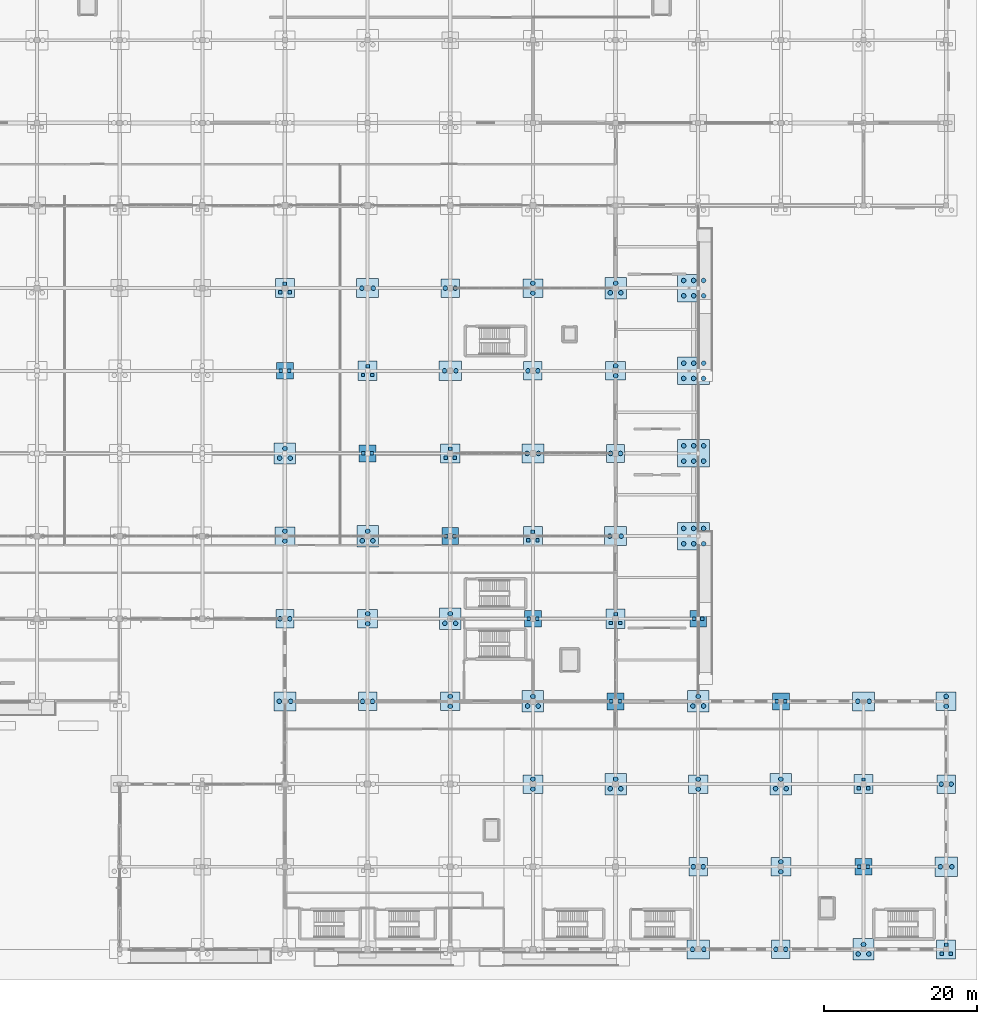
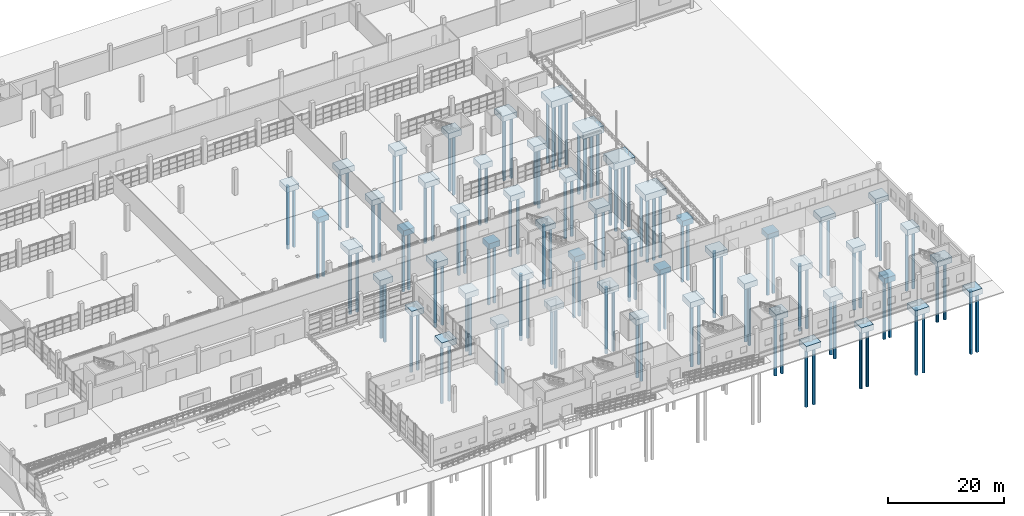
# One storey, part 4 of 138: 138 piles, 53 footings.
"""IFC4 building model written with IfcOpenShell, lengths in metres."""

from ifc_helpers import new_model, si_unit, direction, frame, origin, origin_2d, place, context, subcontext, project, spatial, rectangle, circle, extrude, material, material_profile, profile_set, type_object, element, save


model = new_model("IFC4")

# Units and contexts
model_context = context("Model", 3, precision=1e-05, world=origin(), true_north=direction((0.0, 1.0)))
body_context = subcontext(model_context, "Body", "Model", "MODEL_VIEW")
ifc_project = project(units=[si_unit("LENGTHUNIT", "METRE"), si_unit("AREAUNIT", "SQUARE_METRE"), si_unit("VOLUMEUNIT", "CUBIC_METRE"), si_unit("PLANEANGLEUNIT", "RADIAN"), si_unit("MASSUNIT", "GRAM", prefix="KILO")], contexts=[model_context])

# Site, building, storey
site_placement = place(None, origin())
site = spatial("IfcSite", under=ifc_project, at=site_placement, CompositionType="ELEMENT")
building_placement = place(site_placement, origin())
building = spatial("IfcBuilding", under=site, at=building_placement, Name="Zwinboog Wholesale Market", CompositionType="ELEMENT")
storey_placement = place(building_placement, origin())
storey = spatial("IfcBuildingStorey", under=building, at=storey_placement, Name="L00", CompositionType="ELEMENT", Elevation=0.0)

# Piles
ifc_material_1 = material(Name="Concrete C40/50", Category="concrete")
ifc_material_profile_1 = material_profile(ifc_material_1, circle(Radius=0.300048828125, at=origin_2d()), Name="PILE D600")
ifc_profile_set_1 = profile_set([ifc_material_profile_1], Name="Concrete C40/50")
pile_type_1 = type_object("IfcPileType", Name="PT-BORED-600", PredefinedType="BORED", material=ifc_profile_set_1)
for number, where, z_axis, x_axis, name in (
    (1, (128.85009765625, 32.39990234375, -2.300048828125), (0.0, 0.0, -1.0), (1.0, 0.0, 0.0), "P-01 (PIL-0366)"),
    (2, (130.35009765625, 32.39990234375, -2.300048828125), (0.0, 0.0, -1.0), (1.0, 0.0, 0.0), "P-01 (PIL-0367)"),
    (3, (128.949951171875, 43.199951171875, -2.300048828125), (0.0, 0.0, -1.0), (1.0, 0.0, 0.0), "P-01 (PIL-0368)"),
    (4, (130.25, 43.199951171875, -2.300048828125), (0.0, 0.0, -1.0), (1.0, 0.0, 0.0), "P-01 (PIL-0369)"),
    (5, (129.60009765625, 53.35009765625, -2.300048828125), (0.0, 0.0, -1.0), (1.0, 0.0, 0.0), "P-01 (PIL-0370)"),
    (6, (129.60009765625, 54.64990234375, -2.300048828125), (0.0, 0.0, -1.0), (1.0, 0.0, 0.0), "P-01 (PIL-0371)"),
):
    element("IfcPile", number, at=place(storey_placement, frame(where, z_axis=z_axis, x_axis=x_axis)), inside=storey, type_object=pile_type_1, Name=name, PredefinedType="BORED", context=body_context, shape_type="SweptSolid", body=[
        extrude(circle(Radius=0.300048828125, at=origin_2d()), origin(), (0.0, 0.0, 1.0), 12.5),
    ])
for number, where, z_axis, x_axis, name in (
    (7, (128.89990234375, 64.199951171875, -2.300048828125), (0.0, 0.0, -1.0), (1.0, 0.0, 0.0), "P-01 (PIL-0372)"),
    (8, (130.300048828125, 64.199951171875, -2.300048828125), (0.0, 0.0, -1.0), (1.0, 0.0, 0.0), "P-01 (PIL-0373)"),
    (9, (129.60009765625, 65.449951171875, -2.300048828125), (0.0, 0.0, -1.0), (1.0, 0.0, 0.0), "P-01 (PIL-0374)"),
):
    element("IfcPile", number, at=place(storey_placement, frame(where, z_axis=z_axis, x_axis=x_axis)), inside=storey, type_object=pile_type_1, Name=name, PredefinedType="BORED", context=body_context, shape_type="SweptSolid", body=[
        extrude(circle(Radius=0.300048828125, at=origin_2d()), origin(), (0.0, 0.0, 1.0), 13.0),
    ])
for number, where, z_axis, x_axis, name in (
    (10, (139.75, 32.39990234375, -2.300048828125), (0.0, 0.0, -1.0), (1.0, 0.0, 0.0), "P-01 (PIL-0396)"),
    (11, (141.050048828125, 32.39990234375, -2.300048828125), (0.0, 0.0, -1.0), (1.0, 0.0, 0.0), "P-01 (PIL-0397)"),
    (12, (140.39990234375, 42.550048828125, -2.300048828125), (0.0, 0.0, -1.0), (1.0, 0.0, 0.0), "P-01 (PIL-0398)"),
    (13, (140.39990234375, 43.85009765625, -2.300048828125), (0.0, 0.0, -1.0), (1.0, 0.0, 0.0), "P-01 (PIL-0399)"),
):
    element("IfcPile", number, at=place(storey_placement, frame(where, z_axis=z_axis, x_axis=x_axis)), inside=storey, type_object=pile_type_1, Name=name, PredefinedType="BORED", context=body_context, shape_type="SweptSolid", body=[
        extrude(circle(Radius=0.300048828125, at=origin_2d()), origin(), (0.0, 0.0, 1.0), 12.5),
    ])
for number, where, z_axis, x_axis, name in (
    (14, (139.699951171875, 53.39990234375, -2.300048828125), (0.0, 0.0, -1.0), (1.0, 0.0, 0.0), "P-01 (PIL-0400)"),
    (15, (141.10009765625, 53.39990234375, -2.300048828125), (0.0, 0.0, -1.0), (1.0, 0.0, 0.0), "P-01 (PIL-0401)"),
    (16, (140.39990234375, 54.64990234375, -2.300048828125), (0.0, 0.0, -1.0), (1.0, 0.0, 0.0), "P-01 (PIL-0402)"),
):
    element("IfcPile", number, at=place(storey_placement, frame(where, z_axis=z_axis, x_axis=x_axis)), inside=storey, type_object=pile_type_1, Name=name, PredefinedType="BORED", context=body_context, shape_type="SweptSolid", body=[
        extrude(circle(Radius=0.300048828125, at=origin_2d()), origin(), (0.0, 0.0, 1.0), 13.0),
    ])
for number, where, z_axis, x_axis, name in (
    (17, (139.64990234375, 86.39990234375, -2.300048828125), (0.0, 0.0, -1.0), (1.0, 0.0, 0.0), "P-01 (PIL-0408)"),
    (18, (141.14990234375, 86.39990234375, -2.300048828125), (0.0, 0.0, -1.0), (1.0, 0.0, 0.0), "P-01 (PIL-0409)"),
    (19, (151.199951171875, 31.75, -2.300048828125), (0.0, 0.0, -1.0), (1.0, 0.0, 0.0), "P-01 (PIL-0426)"),
    (20, (151.199951171875, 33.050048828125, -2.300048828125), (0.0, 0.0, -1.0), (1.0, 0.0, 0.0), "P-01 (PIL-0427)"),
):
    element("IfcPile", number, at=place(storey_placement, frame(where, z_axis=z_axis, x_axis=x_axis)), inside=storey, type_object=pile_type_1, Name=name, PredefinedType="BORED", context=body_context, shape_type="SweptSolid", body=[
        extrude(circle(Radius=0.300048828125, at=origin_2d()), origin(), (0.0, 0.0, 1.0), 12.5),
    ])
for number, where, z_axis, x_axis, name in (
    (21, (150.5, 42.60009765625, -2.300048828125), (0.0, 0.0, -1.0), (1.0, 0.0, 0.0), "P-01 (PIL-0428)"),
    (22, (151.89990234375, 42.60009765625, -2.300048828125), (0.0, 0.0, -1.0), (1.0, 0.0, 0.0), "P-01 (PIL-0429)"),
    (23, (151.199951171875, 43.85009765625, -2.300048828125), (0.0, 0.0, -1.0), (1.0, 0.0, 0.0), "P-01 (PIL-0430)"),
):
    element("IfcPile", number, at=place(storey_placement, frame(where, z_axis=z_axis, x_axis=x_axis)), inside=storey, type_object=pile_type_1, Name=name, PredefinedType="BORED", context=body_context, shape_type="SweptSolid", body=[
        extrude(circle(Radius=0.300048828125, at=origin_2d()), origin(), (0.0, 0.0, 1.0), 13.0),
    ])
for number, where, z_axis, x_axis, name in (
    (24, (150.449951171875, 75.60009765625, -2.300048828125), (0.0, 0.0, -1.0), (1.0, 0.0, 0.0), "P-01 (PIL-0436)"),
    (25, (151.949951171875, 75.60009765625, -2.300048828125), (0.0, 0.0, -1.0), (1.0, 0.0, 0.0), "P-01 (PIL-0437)"),
    (26, (150.550048828125, 86.39990234375, -2.300048828125), (0.0, 0.0, -1.0), (1.0, 0.0, 0.0), "P-01 (PIL-0438)"),
    (27, (151.85009765625, 86.39990234375, -2.300048828125), (0.0, 0.0, -1.0), (1.0, 0.0, 0.0), "P-01 (PIL-0439)"),
    (28, (162.0, 20.949951171875, -2.300048828125), (0.0, 0.0, -1.0), (1.0, 0.0, 0.0), "P-01 (PIL-0454)"),
    (29, (162.0, 22.25, -2.300048828125), (0.0, 0.0, -1.0), (1.0, 0.0, 0.0), "P-01 (PIL-0455)"),
):
    element("IfcPile", number, at=place(storey_placement, frame(where, z_axis=z_axis, x_axis=x_axis)), inside=storey, type_object=pile_type_1, Name=name, PredefinedType="BORED", context=body_context, shape_type="SweptSolid", body=[
        extrude(circle(Radius=0.300048828125, at=origin_2d()), origin(), (0.0, 0.0, 1.0), 12.5),
    ])
for number, where, z_axis, x_axis, name in (
    (30, (161.300048828125, 31.800048828125, -2.300048828125), (0.0, 0.0, -1.0), (1.0, 0.0, 0.0), "P-01 (PIL-0456)"),
    (31, (162.699951171875, 31.800048828125, -2.300048828125), (0.0, 0.0, -1.0), (1.0, 0.0, 0.0), "P-01 (PIL-0457)"),
    (32, (162.0, 33.050048828125, -2.300048828125), (0.0, 0.0, -1.0), (1.0, 0.0, 0.0), "P-01 (PIL-0458)"),
):
    element("IfcPile", number, at=place(storey_placement, frame(where, z_axis=z_axis, x_axis=x_axis)), inside=storey, type_object=pile_type_1, Name=name, PredefinedType="BORED", context=body_context, shape_type="SweptSolid", body=[
        extrude(circle(Radius=0.300048828125, at=origin_2d()), origin(), (0.0, 0.0, 1.0), 13.0),
    ])
for number, where, z_axis, x_axis, name in (
    (33, (161.25, 64.800048828125, -2.300048828125), (0.0, 0.0, -1.0), (1.0, 0.0, 0.0), "P-01 (PIL-0464)"),
    (34, (162.75, 64.800048828125, -2.300048828125), (0.0, 0.0, -1.0), (1.0, 0.0, 0.0), "P-01 (PIL-0465)"),
    (35, (161.35009765625, 75.60009765625, -2.300048828125), (0.0, 0.0, -1.0), (1.0, 0.0, 0.0), "P-01 (PIL-0466)"),
    (36, (162.64990234375, 75.60009765625, -2.300048828125), (0.0, 0.0, -1.0), (1.0, 0.0, 0.0), "P-01 (PIL-0467)"),
    (37, (162.0, 85.75, -2.300048828125), (0.0, 0.0, -1.0), (1.0, 0.0, 0.0), "P-01 (PIL-0468)"),
    (38, (162.0, 87.050048828125, -2.300048828125), (0.0, 0.0, -1.0), (1.0, 0.0, 0.0), "P-01 (PIL-0469)"),
):
    element("IfcPile", number, at=place(storey_placement, frame(where, z_axis=z_axis, x_axis=x_axis)), inside=storey, type_object=pile_type_1, Name=name, PredefinedType="BORED", context=body_context, shape_type="SweptSolid", body=[
        extrude(circle(Radius=0.300048828125, at=origin_2d()), origin(), (0.0, 0.0, 1.0), 12.5),
    ])
for number, where, z_axis, x_axis, name in (
    (39, (172.10009765625, 21.0, -2.300048828125), (0.0, 0.0, -1.0), (1.0, 0.0, 0.0), "P-01 (PIL-0484)"),
    (40, (173.5, 21.0, -2.300048828125), (0.0, 0.0, -1.0), (1.0, 0.0, 0.0), "P-01 (PIL-0485)"),
    (41, (172.800048828125, 22.25, -2.300048828125), (0.0, 0.0, -1.0), (1.0, 0.0, 0.0), "P-01 (PIL-0486)"),
):
    element("IfcPile", number, at=place(storey_placement, frame(where, z_axis=z_axis, x_axis=x_axis)), inside=storey, type_object=pile_type_1, Name=name, PredefinedType="BORED", context=body_context, shape_type="SweptSolid", body=[
        extrude(circle(Radius=0.300048828125, at=origin_2d()), origin(), (0.0, 0.0, 1.0), 13.0),
    ])
for number, where, z_axis, x_axis, name in (
    (42, (172.050048828125, 54.0, -2.300048828125), (0.0, 0.0, -1.0), (1.0, 0.0, 0.0), "P-01 (PIL-0492)"),
    (43, (173.550048828125, 54.0, -2.300048828125), (0.0, 0.0, -1.0), (1.0, 0.0, 0.0), "P-01 (PIL-0493)"),
    (44, (172.14990234375, 64.800048828125, -2.300048828125), (0.0, 0.0, -1.0), (1.0, 0.0, 0.0), "P-01 (PIL-0494)"),
    (45, (173.449951171875, 64.800048828125, -2.300048828125), (0.0, 0.0, -1.0), (1.0, 0.0, 0.0), "P-01 (PIL-0495)"),
    (46, (172.800048828125, 74.949951171875, -2.300048828125), (0.0, 0.0, -1.0), (1.0, 0.0, 0.0), "P-01 (PIL-0496)"),
    (47, (172.800048828125, 76.25, -2.300048828125), (0.0, 0.0, -1.0), (1.0, 0.0, 0.0), "P-01 (PIL-0497)"),
):
    element("IfcPile", number, at=place(storey_placement, frame(where, z_axis=z_axis, x_axis=x_axis)), inside=storey, type_object=pile_type_1, Name=name, PredefinedType="BORED", context=body_context, shape_type="SweptSolid", body=[
        extrude(circle(Radius=0.300048828125, at=origin_2d()), origin(), (0.0, 0.0, 1.0), 12.5),
    ])
for number, where, z_axis, x_axis, name in (
    (48, (172.10009765625, 85.800048828125, -2.300048828125), (0.0, 0.0, -1.0), (1.0, 0.0, 0.0), "P-01 (PIL-0498)"),
    (49, (173.5, 85.800048828125, -2.300048828125), (0.0, 0.0, -1.0), (1.0, 0.0, 0.0), "P-01 (PIL-0499)"),
    (50, (172.800048828125, 87.050048828125, -2.300048828125), (0.0, 0.0, -1.0), (1.0, 0.0, 0.0), "P-01 (PIL-0500)"),
):
    element("IfcPile", number, at=place(storey_placement, frame(where, z_axis=z_axis, x_axis=x_axis)), inside=storey, type_object=pile_type_1, Name=name, PredefinedType="BORED", context=body_context, shape_type="SweptSolid", body=[
        extrude(circle(Radius=0.300048828125, at=origin_2d()), origin(), (0.0, 0.0, 1.0), 13.0),
    ])
for number, where, z_axis, x_axis, name in (
    (51, (181.699951171875, 53.0, -2.5), (0.0, 0.0, -1.0), (1.0, 0.0, 0.0), "P-01 (PIL-0510)"),
    (52, (183.0, 53.0, -2.5), (0.0, 0.0, -1.0), (1.0, 0.0, 0.0), "P-01 (PIL-0511)"),
    (53, (184.300048828125, 53.0, -2.5), (0.0, 0.0, -1.0), (1.0, 0.0, 0.0), "P-01 (PIL-0512)"),
    (54, (181.699951171875, 55.0, -2.5), (0.0, 0.0, -1.0), (1.0, 0.0, 0.0), "P-01 (PIL-0513)"),
    (55, (183.0, 55.0, -2.5), (0.0, 0.0, -1.0), (1.0, 0.0, 0.0), "P-01 (PIL-0514)"),
    (56, (184.300048828125, 55.0, -2.5), (0.0, 0.0, -1.0), (1.0, 0.0, 0.0), "P-01 (PIL-0515)"),
    (57, (181.699951171875, 63.800048828125, -2.5), (0.0, 0.0, -1.0), (1.0, 0.0, 0.0), "P-01 (PIL-0516)"),
    (58, (183.0, 63.800048828125, -2.5), (0.0, 0.0, -1.0), (1.0, 0.0, 0.0), "P-01 (PIL-0517)"),
    (59, (184.300048828125, 63.800048828125, -2.5), (0.0, 0.0, -1.0), (1.0, 0.0, 0.0), "P-01 (PIL-0518)"),
    (60, (181.699951171875, 65.800048828125, -2.5), (0.0, 0.0, -1.0), (1.0, 0.0, 0.0), "P-01 (PIL-0519)"),
    (61, (183.0, 65.800048828125, -2.5), (0.0, 0.0, -1.0), (1.0, 0.0, 0.0), "P-01 (PIL-0520)"),
    (62, (184.300048828125, 65.800048828125, -2.5), (0.0, 0.0, -1.0), (1.0, 0.0, 0.0), "P-01 (PIL-0521)"),
    (63, (181.699951171875, 74.60009765625, -2.5), (0.0, 0.0, -1.0), (1.0, 0.0, 0.0), "P-01 (PIL-0522)"),
    (64, (183.0, 74.60009765625, -2.5), (0.0, 0.0, -1.0), (1.0, 0.0, 0.0), "P-01 (PIL-0523)"),
    (65, (184.300048828125, 74.60009765625, -2.5), (0.0, 0.0, -1.0), (1.0, 0.0, 0.0), "P-01 (PIL-0524)"),
    (66, (181.699951171875, 76.60009765625, -2.5), (0.0, 0.0, -1.0), (1.0, 0.0, 0.0), "P-01 (PIL-0525)"),
    (67, (183.0, 76.60009765625, -2.5), (0.0, 0.0, -1.0), (1.0, 0.0, 0.0), "P-01 (PIL-0526)"),
    (68, (184.300048828125, 76.60009765625, -2.5), (0.0, 0.0, -1.0), (1.0, 0.0, 0.0), "P-01 (PIL-0527)"),
    (69, (181.699951171875, 85.39990234375, -2.5), (0.0, 0.0, -1.0), (1.0, 0.0, 0.0), "P-01 (PIL-0528)"),
    (70, (183.0, 85.39990234375, -2.5), (0.0, 0.0, -1.0), (1.0, 0.0, 0.0), "P-01 (PIL-0529)"),
    (71, (184.300048828125, 85.39990234375, -2.5), (0.0, 0.0, -1.0), (1.0, 0.0, 0.0), "P-01 (PIL-0530)"),
    (72, (181.699951171875, 87.39990234375, -2.5), (0.0, 0.0, -1.0), (1.0, 0.0, 0.0), "P-01 (PIL-0531)"),
    (73, (183.0, 87.39990234375, -2.5), (0.0, 0.0, -1.0), (1.0, 0.0, 0.0), "P-01 (PIL-0532)"),
    (74, (184.300048828125, 87.39990234375, -2.5), (0.0, 0.0, -1.0), (1.0, 0.0, 0.0), "P-01 (PIL-0533)"),
):
    element("IfcPile", number, at=place(storey_placement, frame(where, z_axis=z_axis, x_axis=x_axis)), inside=storey, type_object=pile_type_1, Name=name, PredefinedType="BORED", context=body_context, shape_type="SweptSolid", body=[
        extrude(circle(Radius=0.300048828125, at=origin_2d()), origin(), (0.0, 0.0, 1.0), 13.5),
    ])
for number, where, z_axis, x_axis, name in (
    (75, (182.85009765625, 0.0, -2.300048828125), (0.0, 0.0, -1.0), (1.0, 0.0, 0.0), "P-01 (PIL-0534)"),
    (76, (184.35009765625, 0.0, -2.300048828125), (0.0, 0.0, -1.0), (1.0, 0.0, 0.0), "P-01 (PIL-0535)"),
    (77, (182.949951171875, 10.800048828125, -2.300048828125), (0.0, 0.0, -1.0), (1.0, 0.0, 0.0), "P-01 (PIL-0536)"),
    (78, (184.25, 10.800048828125, -2.300048828125), (0.0, 0.0, -1.0), (1.0, 0.0, 0.0), "P-01 (PIL-0537)"),
    (79, (183.60009765625, 20.949951171875, -2.300048828125), (0.0, 0.0, -1.0), (1.0, 0.0, 0.0), "P-01 (PIL-0538)"),
    (80, (183.60009765625, 22.25, -2.300048828125), (0.0, 0.0, -1.0), (1.0, 0.0, 0.0), "P-01 (PIL-0539)"),
):
    element("IfcPile", number, at=place(storey_placement, frame(where, z_axis=z_axis, x_axis=x_axis)), inside=storey, type_object=pile_type_1, Name=name, PredefinedType="BORED", context=body_context, shape_type="SweptSolid", body=[
        extrude(circle(Radius=0.300048828125, at=origin_2d()), origin(), (0.0, 0.0, 1.0), 12.5),
    ])
for number, where, z_axis, x_axis, name in (
    (81, (182.89990234375, 31.800048828125, -2.300048828125), (0.0, 0.0, -1.0), (1.0, 0.0, 0.0), "P-01 (PIL-0540)"),
    (82, (184.300048828125, 31.800048828125, -2.300048828125), (0.0, 0.0, -1.0), (1.0, 0.0, 0.0), "P-01 (PIL-0541)"),
    (83, (183.60009765625, 33.050048828125, -2.300048828125), (0.0, 0.0, -1.0), (1.0, 0.0, 0.0), "P-01 (PIL-0542)"),
):
    element("IfcPile", number, at=place(storey_placement, frame(where, z_axis=z_axis, x_axis=x_axis)), inside=storey, type_object=pile_type_1, Name=name, PredefinedType="BORED", context=body_context, shape_type="SweptSolid", body=[
        extrude(circle(Radius=0.300048828125, at=origin_2d()), origin(), (0.0, 0.0, 1.0), 13.0),
    ])
for number, where, z_axis, x_axis, name in (
    (84, (193.75, 0.0, -2.300048828125), (0.0, 0.0, -1.0), (1.0, 0.0, 0.0), "P-01 (PIL-0555)"),
    (85, (195.050048828125, 0.0, -2.300048828125), (0.0, 0.0, -1.0), (1.0, 0.0, 0.0), "P-01 (PIL-0556)"),
    (86, (194.39990234375, 10.14990234375, -2.300048828125), (0.0, 0.0, -1.0), (1.0, 0.0, 0.0), "P-01 (PIL-0557)"),
    (87, (194.39990234375, 11.449951171875, -2.300048828125), (0.0, 0.0, -1.0), (1.0, 0.0, 0.0), "P-01 (PIL-0558)"),
):
    element("IfcPile", number, at=place(storey_placement, frame(where, z_axis=z_axis, x_axis=x_axis)), inside=storey, type_object=pile_type_1, Name=name, PredefinedType="BORED", context=body_context, shape_type="SweptSolid", body=[
        extrude(circle(Radius=0.300048828125, at=origin_2d()), origin(), (0.0, 0.0, 1.0), 12.5),
    ])
for number, where, z_axis, x_axis, name in (
    (88, (193.699951171875, 21.0, -2.300048828125), (0.0, 0.0, -1.0), (1.0, 0.0, 0.0), "P-01 (PIL-0559)"),
    (89, (195.10009765625, 21.0, -2.300048828125), (0.0, 0.0, -1.0), (1.0, 0.0, 0.0), "P-01 (PIL-0560)"),
    (90, (194.39990234375, 22.25, -2.300048828125), (0.0, 0.0, -1.0), (1.0, 0.0, 0.0), "P-01 (PIL-0561)"),
    (91, (204.5, -0.60009765625, -2.300048828125), (0.0, 0.0, -1.0), (1.0, 0.0, 0.0), "P-01 (PIL-0573)"),
    (92, (205.89990234375, -0.60009765625, -2.300048828125), (0.0, 0.0, -1.0), (1.0, 0.0, 0.0), "P-01 (PIL-0574)"),
    (93, (205.199951171875, 0.64990234375, -2.300048828125), (0.0, 0.0, -1.0), (1.0, 0.0, 0.0), "P-01 (PIL-0575)"),
):
    element("IfcPile", number, at=place(storey_placement, frame(where, z_axis=z_axis, x_axis=x_axis)), inside=storey, type_object=pile_type_1, Name=name, PredefinedType="BORED", context=body_context, shape_type="SweptSolid", body=[
        extrude(circle(Radius=0.300048828125, at=origin_2d()), origin(), (0.0, 0.0, 1.0), 13.0),
    ])
for number, where, z_axis, x_axis, name in (
    (94, (204.449951171875, 32.39990234375, -2.300048828125), (0.0, 0.0, -1.0), (1.0, 0.0, 0.0), "P-01 (PIL-0581)"),
    (95, (205.949951171875, 32.39990234375, -2.300048828125), (0.0, 0.0, -1.0), (1.0, 0.0, 0.0), "P-01 (PIL-0582)"),
    (96, (215.25, 10.800048828125, -2.300048828125), (0.0, 0.0, -1.0), (1.0, 0.0, 0.0), "P-01 (PIL-0595)"),
    (97, (216.75, 10.800048828125, -2.300048828125), (0.0, 0.0, -1.0), (1.0, 0.0, 0.0), "P-01 (PIL-0596)"),
    (98, (215.35009765625, 21.60009765625, -2.300048828125), (0.0, 0.0, -1.0), (1.0, 0.0, 0.0), "P-01 (PIL-0597)"),
    (99, (216.64990234375, 21.60009765625, -2.300048828125), (0.0, 0.0, -1.0), (1.0, 0.0, 0.0), "P-01 (PIL-0598)"),
    (100, (216.0, 31.75, -2.300048828125), (0.0, 0.0, -1.0), (1.0, 0.0, 0.0), "P-01 (PIL-0599)"),
    (101, (216.0, 33.050048828125, -2.300048828125), (0.0, 0.0, -1.0), (1.0, 0.0, 0.0), "P-01 (PIL-0600)"),
):
    element("IfcPile", number, at=place(storey_placement, frame(where, z_axis=z_axis, x_axis=x_axis)), inside=storey, type_object=pile_type_1, Name=name, PredefinedType="BORED", context=body_context, shape_type="SweptSolid", body=[
        extrude(circle(Radius=0.300048828125, at=origin_2d()), origin(), (0.0, 0.0, 1.0), 12.5),
    ])
ifc_material_profile_2 = material_profile(ifc_material_1, rectangle(XDim=0.449951171875, YDim=0.449951171875, at=origin_2d()), Name="PILE SQ450")
ifc_profile_set_2 = profile_set([ifc_material_profile_2], Name="Concrete C40/50")
pile_type_2 = type_object("IfcPileType", Name="PT-DRIVEN-450", PredefinedType="DRIVEN", material=ifc_profile_set_2)
for number, where, z_axis, x_axis, name in (
    (102, (129.050048828125, 75.60009765625, -2.25), (0.0, 0.0, -1.0), (1.0, 0.0, 0.0), "P-02 (PIL-0375)"),
    (103, (130.14990234375, 75.60009765625, -2.25), (0.0, 0.0, -1.0), (1.0, 0.0, 0.0), "P-02 (PIL-0376)"),
    (104, (129.0, 85.85009765625, -2.25), (0.0, 0.0, -1.0), (1.0, 0.0, 0.0), "P-02 (PIL-0377)"),
    (105, (130.199951171875, 85.85009765625, -2.25), (0.0, 0.0, -1.0), (1.0, 0.0, 0.0), "P-02 (PIL-0378)"),
    (106, (129.60009765625, 87.0, -2.25), (0.0, 0.0, -1.0), (1.0, 0.0, 0.0), "P-02 (PIL-0379)"),
    (107, (139.85009765625, 64.800048828125, -2.25), (0.0, 0.0, -1.0), (1.0, 0.0, 0.0), "P-02 (PIL-0403)"),
    (108, (140.949951171875, 64.800048828125, -2.25), (0.0, 0.0, -1.0), (1.0, 0.0, 0.0), "P-02 (PIL-0404)"),
    (109, (139.800048828125, 75.050048828125, -2.25), (0.0, 0.0, -1.0), (1.0, 0.0, 0.0), "P-02 (PIL-0405)"),
    (110, (141.0, 75.050048828125, -2.25), (0.0, 0.0, -1.0), (1.0, 0.0, 0.0), "P-02 (PIL-0406)"),
    (111, (140.39990234375, 76.199951171875, -2.25), (0.0, 0.0, -1.0), (1.0, 0.0, 0.0), "P-02 (PIL-0407)"),
    (112, (150.64990234375, 54.0, -2.25), (0.0, 0.0, -1.0), (1.0, 0.0, 0.0), "P-02 (PIL-0431)"),
    (113, (151.75, 54.0, -2.25), (0.0, 0.0, -1.0), (1.0, 0.0, 0.0), "P-02 (PIL-0432)"),
    (114, (150.60009765625, 64.25, -2.25), (0.0, 0.0, -1.0), (1.0, 0.0, 0.0), "P-02 (PIL-0433)"),
    (115, (151.800048828125, 64.25, -2.25), (0.0, 0.0, -1.0), (1.0, 0.0, 0.0), "P-02 (PIL-0434)"),
    (116, (151.199951171875, 65.39990234375, -2.25), (0.0, 0.0, -1.0), (1.0, 0.0, 0.0), "P-02 (PIL-0435)"),
    (117, (161.449951171875, 43.199951171875, -2.25), (0.0, 0.0, -1.0), (1.0, 0.0, 0.0), "P-02 (PIL-0459)"),
    (118, (162.550048828125, 43.199951171875, -2.25), (0.0, 0.0, -1.0), (1.0, 0.0, 0.0), "P-02 (PIL-0460)"),
    (119, (161.39990234375, 53.449951171875, -2.25), (0.0, 0.0, -1.0), (1.0, 0.0, 0.0), "P-02 (PIL-0461)"),
    (120, (162.60009765625, 53.449951171875, -2.25), (0.0, 0.0, -1.0), (1.0, 0.0, 0.0), "P-02 (PIL-0462)"),
    (121, (162.0, 54.60009765625, -2.25), (0.0, 0.0, -1.0), (1.0, 0.0, 0.0), "P-02 (PIL-0463)"),
    (122, (172.25, 32.39990234375, -2.25), (0.0, 0.0, -1.0), (1.0, 0.0, 0.0), "P-02 (PIL-0487)"),
    (123, (173.35009765625, 32.39990234375, -2.25), (0.0, 0.0, -1.0), (1.0, 0.0, 0.0), "P-02 (PIL-0488)"),
    (124, (172.199951171875, 42.64990234375, -2.25), (0.0, 0.0, -1.0), (1.0, 0.0, 0.0), "P-02 (PIL-0489)"),
    (125, (173.39990234375, 42.64990234375, -2.25), (0.0, 0.0, -1.0), (1.0, 0.0, 0.0), "P-02 (PIL-0490)"),
    (126, (172.800048828125, 43.800048828125, -2.25), (0.0, 0.0, -1.0), (1.0, 0.0, 0.0), "P-02 (PIL-0491)"),
    (127, (183.050048828125, 43.199951171875, -2.25), (0.0, 0.0, -1.0), (1.0, 0.0, 0.0), "P-02 (PIL-0543)"),
    (128, (184.14990234375, 43.199951171875, -2.25), (0.0, 0.0, -1.0), (1.0, 0.0, 0.0), "P-02 (PIL-0544)"),
    (129, (193.85009765625, 32.39990234375, -2.25), (0.0, 0.0, -1.0), (1.0, 0.0, 0.0), "P-02 (PIL-0562)"),
    (130, (194.949951171875, 32.39990234375, -2.25), (0.0, 0.0, -1.0), (1.0, 0.0, 0.0), "P-02 (PIL-0563)"),
    (131, (204.64990234375, 10.800048828125, -2.25), (0.0, 0.0, -1.0), (1.0, 0.0, 0.0), "P-02 (PIL-0576)"),
    (132, (205.75, 10.800048828125, -2.25), (0.0, 0.0, -1.0), (1.0, 0.0, 0.0), "P-02 (PIL-0577)"),
    (133, (204.60009765625, 21.050048828125, -2.25), (0.0, 0.0, -1.0), (1.0, 0.0, 0.0), "P-02 (PIL-0578)"),
    (134, (205.800048828125, 21.050048828125, -2.25), (0.0, 0.0, -1.0), (1.0, 0.0, 0.0), "P-02 (PIL-0579)"),
    (135, (205.199951171875, 22.199951171875, -2.25), (0.0, 0.0, -1.0), (1.0, 0.0, 0.0), "P-02 (PIL-0580)"),
    (136, (215.39990234375, -0.550048828125, -2.25), (0.0, 0.0, -1.0), (1.0, 0.0, 0.0), "P-02 (PIL-0592)"),
    (137, (216.60009765625, -0.550048828125, -2.25), (0.0, 0.0, -1.0), (1.0, 0.0, 0.0), "P-02 (PIL-0593)"),
    (138, (216.0, 0.60009765625, -2.25), (0.0, 0.0, -1.0), (1.0, 0.0, 0.0), "P-02 (PIL-0594)"),
):
    element("IfcPile", number, at=place(storey_placement, frame(where, z_axis=z_axis, x_axis=x_axis)), inside=storey, type_object=pile_type_2, Name=name, PredefinedType="DRIVEN", context=body_context, shape_type="SweptSolid", body=[
        extrude(rectangle(XDim=0.449951171875, YDim=0.449951171875, at=origin_2d()), origin(), (0.0, 0.0, 1.0), 12.5),
    ])

# Footings
ifc_material_2 = material(Name="Concrete C35/45", Category="concrete")
footing_type_1 = type_object("IfcFootingType", Name="FT-PC-01", PredefinedType="PILE_CAP", material=ifc_material_2)
for number, where, z_axis, x_axis, name in (
    (139, (129.60009765625, 43.199951171875, -2.39990234375), (0.0, 0.0, 1.0), (1.0, 0.0, 0.0), "FC-01 (FND-PC-145)"),
    (140, (140.39990234375, 32.39990234375, -2.39990234375), (0.0, 0.0, 1.0), (1.0, 0.0, 0.0), "FC-01 (FND-PC-157)"),
    (141, (151.199951171875, 86.39990234375, -2.39990234375), (0.0, 0.0, 1.0), (1.0, 0.0, 0.0), "FC-01 (FND-PC-175)"),
    (142, (162.0, 75.60009765625, -2.39990234375), (0.0, 0.0, 1.0), (1.0, 0.0, 0.0), "FC-01 (FND-PC-187)"),
    (143, (172.800048828125, 64.800048828125, -2.39990234375), (0.0, 0.0, 1.0), (1.0, 0.0, 0.0), "FC-01 (FND-PC-199)"),
    (144, (183.60009765625, 10.800048828125, -2.39990234375), (0.0, 0.0, 1.0), (1.0, 0.0, 0.0), "FC-01 (FND-PC-211)"),
    (145, (194.39990234375, 0.0, -2.39990234375), (0.0, 0.0, 1.0), (1.0, 0.0, 0.0), "FC-01 (FND-PC-223)"),
    (146, (216.0, 21.60009765625, -2.39990234375), (0.0, 0.0, 1.0), (1.0, 0.0, 0.0), "FC-01 (FND-PC-241)"),
):
    element("IfcFooting", number, at=place(storey_placement, frame(where, z_axis=z_axis, x_axis=x_axis)), inside=storey, type_object=footing_type_1, Name=name, PredefinedType="PILE_CAP", context=body_context, shape_type="SweptSolid", body=[
        extrude(rectangle(XDim=2.39990234375, YDim=2.39990234375, at=origin_2d()), origin(), (0.0, 0.0, 1.0), 1.199951171875),
    ])
footing_type_2 = type_object("IfcFootingType", Name="FT-PC-02", PredefinedType="PILE_CAP", material=ifc_material_2)
for number, where, z_axis, x_axis, name in (
    (147, (129.60009765625, 54.0, -2.39990234375), (0.0, 0.0, 1.0), (1.0, 0.0, 0.0), "FC-02 (FND-PC-146)"),
    (148, (140.39990234375, 43.199951171875, -2.39990234375), (0.0, 0.0, 1.0), (1.0, 0.0, 0.0), "FC-02 (FND-PC-158)"),
    (149, (151.199951171875, 32.39990234375, -2.39990234375), (0.0, 0.0, 1.0), (1.0, 0.0, 0.0), "FC-02 (FND-PC-170)"),
    (150, (162.0, 21.60009765625, -2.39990234375), (0.0, 0.0, 1.0), (1.0, 0.0, 0.0), "FC-02 (FND-PC-182)"),
    (151, (162.0, 86.39990234375, -2.39990234375), (0.0, 0.0, 1.0), (1.0, 0.0, 0.0), "FC-02 (FND-PC-188)"),
    (152, (172.800048828125, 75.60009765625, -2.39990234375), (0.0, 0.0, 1.0), (1.0, 0.0, 0.0), "FC-02 (FND-PC-200)"),
    (153, (183.60009765625, 21.60009765625, -2.39990234375), (0.0, 0.0, 1.0), (1.0, 0.0, 0.0), "FC-02 (FND-PC-212)"),
    (154, (194.39990234375, 10.800048828125, -2.39990234375), (0.0, 0.0, 1.0), (1.0, 0.0, 0.0), "FC-02 (FND-PC-224)"),
    (155, (216.0, 32.39990234375, -2.39990234375), (0.0, 0.0, 1.0), (1.0, 0.0, 0.0), "FC-02 (FND-PC-242)"),
):
    element("IfcFooting", number, at=place(storey_placement, frame(where, z_axis=z_axis, x_axis=x_axis)), inside=storey, type_object=footing_type_2, Name=name, PredefinedType="PILE_CAP", context=body_context, shape_type="SweptSolid", body=[
        extrude(rectangle(XDim=2.60009765625, YDim=2.39990234375, at=origin_2d()), origin(), (0.0, 0.0, 1.0), 1.199951171875),
    ])
footing_type_3 = type_object("IfcFootingType", Name="FT-PC-03", PredefinedType="PILE_CAP", material=ifc_material_2)
for number, where, z_axis, x_axis, name in (
    (156, (129.60009765625, 64.800048828125, -2.39990234375), (0.0, 0.0, 1.0), (1.0, 0.0, 0.0), "FC-03 (FND-PC-147)"),
    (157, (140.39990234375, 54.0, -2.39990234375), (0.0, 0.0, 1.0), (1.0, 0.0, 0.0), "FC-03 (FND-PC-159)"),
    (158, (151.199951171875, 43.199951171875, -2.39990234375), (0.0, 0.0, 1.0), (1.0, 0.0, 0.0), "FC-03 (FND-PC-171)"),
    (159, (162.0, 32.39990234375, -2.39990234375), (0.0, 0.0, 1.0), (1.0, 0.0, 0.0), "FC-03 (FND-PC-183)"),
    (160, (172.800048828125, 21.60009765625, -2.39990234375), (0.0, 0.0, 1.0), (1.0, 0.0, 0.0), "FC-03 (FND-PC-195)"),
    (161, (172.800048828125, 86.39990234375, -2.39990234375), (0.0, 0.0, 1.0), (1.0, 0.0, 0.0), "FC-03 (FND-PC-201)"),
    (162, (183.60009765625, 32.39990234375, -2.39990234375), (0.0, 0.0, 1.0), (1.0, 0.0, 0.0), "FC-03 (FND-PC-213)"),
    (163, (194.39990234375, 21.60009765625, -2.39990234375), (0.0, 0.0, 1.0), (1.0, 0.0, 0.0), "FC-03 (FND-PC-225)"),
    (164, (205.199951171875, 0.0, -2.39990234375), (0.0, 0.0, 1.0), (1.0, 0.0, 0.0), "FC-03 (FND-PC-231)"),
):
    element("IfcFooting", number, at=place(storey_placement, frame(where, z_axis=z_axis, x_axis=x_axis)), inside=storey, type_object=footing_type_3, Name=name, PredefinedType="PILE_CAP", context=body_context, shape_type="SweptSolid", body=[
        extrude(rectangle(XDim=2.800048828125, YDim=2.800048828125, at=origin_2d()), origin(), (0.0, 0.0, 1.0), 1.199951171875),
    ])
footing_type_4 = type_object("IfcFootingType", Name="FT-PC-09", PredefinedType="PILE_CAP", material=ifc_material_2)
for number, where, z_axis, x_axis, name in (
    (165, (183.0, 54.0, -2.599853515625), (0.0, 0.0, 1.0), (1.0, 0.0, 0.0), "FC-09 (FND-PC-206)"),
    (166, (183.0, 64.800048828125, -2.599853515625), (0.0, 0.0, 1.0), (1.0, 0.0, 0.0), "FC-09 (FND-PC-207)"),
    (167, (183.0, 75.60009765625, -2.599853515625), (0.0, 0.0, 1.0), (1.0, 0.0, 0.0), "FC-09 (FND-PC-208)"),
    (168, (183.0, 86.39990234375, -2.599853515625), (0.0, 0.0, 1.0), (1.0, 0.0, 0.0), "FC-09 (FND-PC-209)"),
):
    element("IfcFooting", number, at=place(storey_placement, frame(where, z_axis=z_axis, x_axis=x_axis)), inside=storey, type_object=footing_type_4, Name=name, PredefinedType="PILE_CAP", context=body_context, shape_type="SweptSolid", body=[
        extrude(rectangle(XDim=4.199951171875, YDim=3.60009765625, at=origin_2d()), origin(), (0.0, 0.0, 1.0), 1.39990234375),
    ])
footing_type_5 = type_object("IfcFootingType", Name="FT-PC-10", PredefinedType="PILE_CAP", material=ifc_material_2)
for number, where, z_axis, x_axis, name in (
    (169, (129.60009765625, 75.60009765625, -2.349853515625), (0.0, 0.0, 1.0), (1.0, 0.0, 0.0), "FC-10 (FND-PC-148)"),
    (170, (140.39990234375, 64.800048828125, -2.349853515625), (0.0, 0.0, 1.0), (1.0, 0.0, 0.0), "FC-10 (FND-PC-160)"),
    (171, (151.199951171875, 54.0, -2.349853515625), (0.0, 0.0, 1.0), (1.0, 0.0, 0.0), "FC-10 (FND-PC-172)"),
    (172, (162.0, 43.199951171875, -2.349853515625), (0.0, 0.0, 1.0), (1.0, 0.0, 0.0), "FC-10 (FND-PC-184)"),
    (173, (172.800048828125, 32.39990234375, -2.349853515625), (0.0, 0.0, 1.0), (1.0, 0.0, 0.0), "FC-10 (FND-PC-196)"),
    (174, (183.60009765625, 43.199951171875, -2.349853515625), (0.0, 0.0, 1.0), (1.0, 0.0, 0.0), "FC-10 (FND-PC-214)"),
    (175, (194.39990234375, 32.39990234375, -2.349853515625), (0.0, 0.0, 1.0), (1.0, 0.0, 0.0), "FC-10 (FND-PC-226)"),
    (176, (205.199951171875, 10.800048828125, -2.349853515625), (0.0, 0.0, 1.0), (1.0, 0.0, 0.0), "FC-10 (FND-PC-232)"),
):
    element("IfcFooting", number, at=place(storey_placement, frame(where, z_axis=z_axis, x_axis=x_axis)), inside=storey, type_object=footing_type_5, Name=name, PredefinedType="PILE_CAP", context=body_context, shape_type="SweptSolid", body=[
        extrude(rectangle(XDim=2.199951171875, YDim=2.199951171875, at=origin_2d()), origin(), (0.0, 0.0, 1.0), 1.14990234375),
    ])
footing_type_6 = type_object("IfcFootingType", Name="FT-PC-11", PredefinedType="PILE_CAP", material=ifc_material_2)
for number, where, z_axis, x_axis, name in (
    (177, (129.60009765625, 86.39990234375, -2.349853515625), (0.0, 0.0, 1.0), (1.0, 0.0, 0.0), "FC-11 (FND-PC-149)"),
    (178, (140.39990234375, 75.60009765625, -2.349853515625), (0.0, 0.0, 1.0), (1.0, 0.0, 0.0), "FC-11 (FND-PC-161)"),
    (179, (151.199951171875, 64.800048828125, -2.349853515625), (0.0, 0.0, 1.0), (1.0, 0.0, 0.0), "FC-11 (FND-PC-173)"),
    (180, (162.0, 54.0, -2.349853515625), (0.0, 0.0, 1.0), (1.0, 0.0, 0.0), "FC-11 (FND-PC-185)"),
    (181, (172.800048828125, 43.199951171875, -2.349853515625), (0.0, 0.0, 1.0), (1.0, 0.0, 0.0), "FC-11 (FND-PC-197)"),
    (182, (205.199951171875, 21.60009765625, -2.349853515625), (0.0, 0.0, 1.0), (1.0, 0.0, 0.0), "FC-11 (FND-PC-233)"),
    (183, (216.0, 0.0, -2.349853515625), (0.0, 0.0, 1.0), (1.0, 0.0, 0.0), "FC-11 (FND-PC-239)"),
):
    element("IfcFooting", number, at=place(storey_placement, frame(where, z_axis=z_axis, x_axis=x_axis)), inside=storey, type_object=footing_type_6, Name=name, PredefinedType="PILE_CAP", context=body_context, shape_type="SweptSolid", body=[
        extrude(rectangle(XDim=2.5, YDim=2.5, at=origin_2d()), origin(), (0.0, 0.0, 1.0), 1.14990234375),
    ])
footing_type_7 = type_object("IfcFootingType", Name="FT-PC-17", PredefinedType="PILE_CAP", material=ifc_material_2)
for number, where, z_axis, x_axis, name in (
    (184, (129.60009765625, 32.39990234375, -2.39990234375), (0.0, 0.0, 1.0), (1.0, 0.0, 0.0), "FC-17 (FND-PC-144)"),
    (185, (140.39990234375, 86.39990234375, -2.39990234375), (0.0, 0.0, 1.0), (1.0, 0.0, 0.0), "FC-17 (FND-PC-162)"),
    (186, (151.199951171875, 75.60009765625, -2.39990234375), (0.0, 0.0, 1.0), (1.0, 0.0, 0.0), "FC-17 (FND-PC-174)"),
    (187, (162.0, 64.800048828125, -2.39990234375), (0.0, 0.0, 1.0), (1.0, 0.0, 0.0), "FC-17 (FND-PC-186)"),
    (188, (172.800048828125, 54.0, -2.39990234375), (0.0, 0.0, 1.0), (1.0, 0.0, 0.0), "FC-17 (FND-PC-198)"),
    (189, (183.60009765625, 0.0, -2.39990234375), (0.0, 0.0, 1.0), (1.0, 0.0, 0.0), "FC-17 (FND-PC-210)"),
    (190, (205.199951171875, 32.39990234375, -2.39990234375), (0.0, 0.0, 1.0), (1.0, 0.0, 0.0), "FC-17 (FND-PC-234)"),
    (191, (216.0, 10.800048828125, -2.39990234375), (0.0, 0.0, 1.0), (1.0, 0.0, 0.0), "FC-17 (FND-PC-240)"),
):
    element("IfcFooting", number, at=place(storey_placement, frame(where, z_axis=z_axis, x_axis=x_axis)), inside=storey, type_object=footing_type_7, Name=name, PredefinedType="PILE_CAP", context=body_context, shape_type="SweptSolid", body=[
        extrude(rectangle(XDim=2.89990234375, YDim=2.5, at=origin_2d()), origin(), (0.0, 0.0, 1.0), 1.199951171875),
    ])

save(model, "model.ifc")
